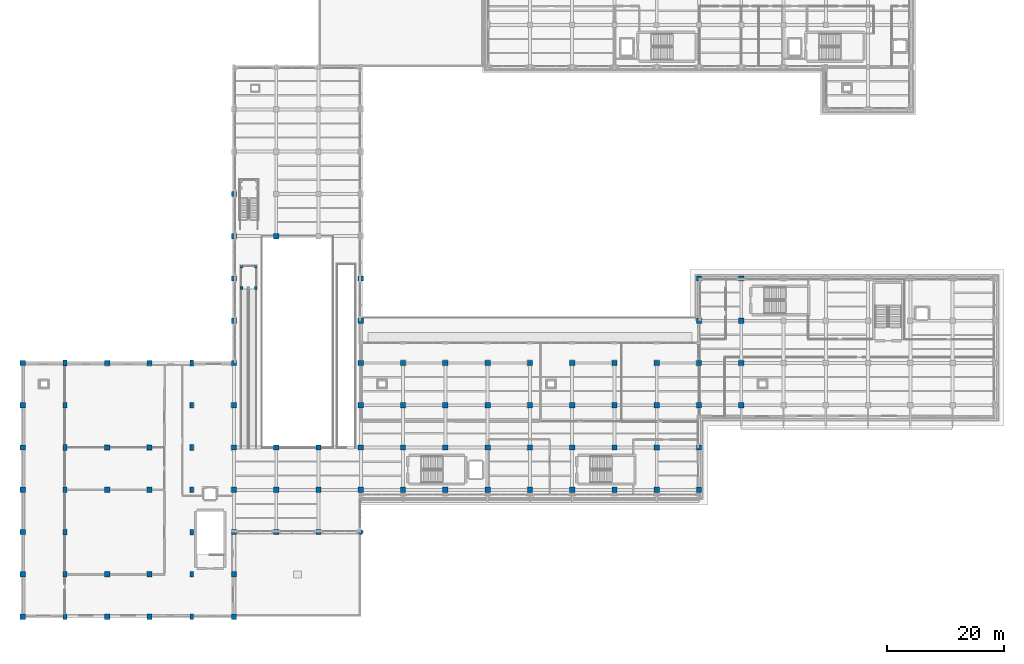
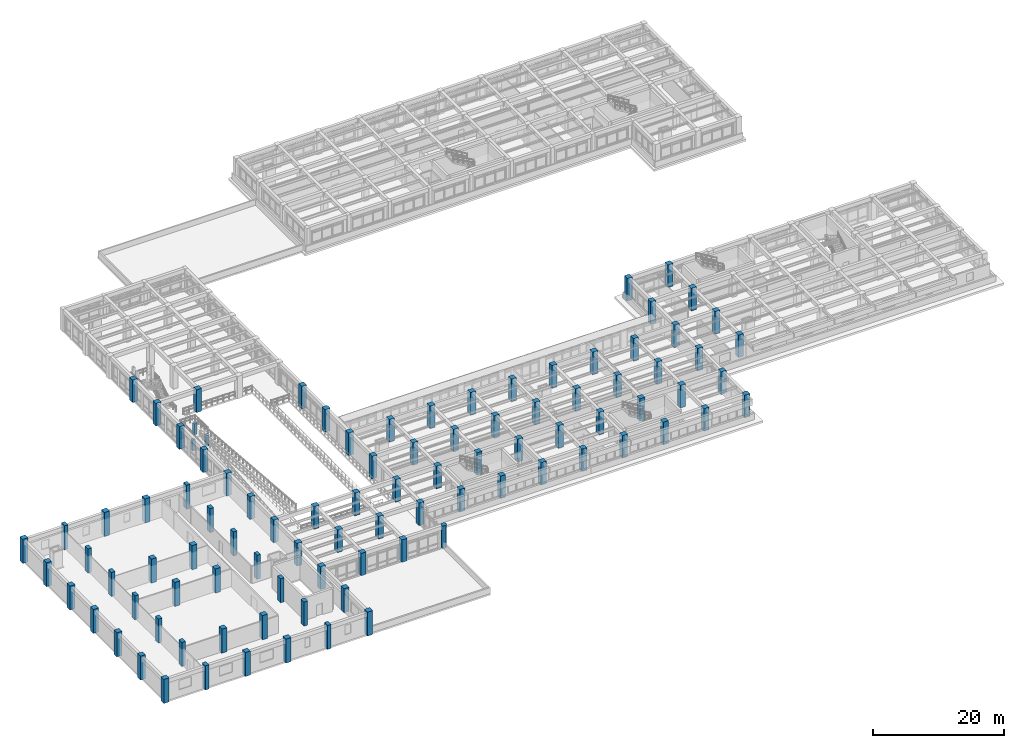
# One storey, part 1 of 69: 98 columns.
"""IFC4 building model written with IfcOpenShell, lengths in metres."""

from ifc_helpers import new_model, si_unit, direction, frame, origin, origin_2d, place, context, subcontext, project, spatial, rectangle, circle, extrude, material, material_profile, profile_set, type_object, element, save


model = new_model("IFC4")

# Units and contexts
model_context = context("Model", 3, precision=1e-05, world=origin(), true_north=direction((0.0, 1.0)))
body_context = subcontext(model_context, "Body", "Model", "MODEL_VIEW")
ifc_project = project(units=[si_unit("LENGTHUNIT", "METRE"), si_unit("AREAUNIT", "SQUARE_METRE"), si_unit("VOLUMEUNIT", "CUBIC_METRE"), si_unit("PLANEANGLEUNIT", "RADIAN"), si_unit("MASSUNIT", "GRAM", prefix="KILO")], contexts=[model_context])

# Site, building, storey
site_placement = place(None, origin())
site = spatial("IfcSite", under=ifc_project, at=site_placement, CompositionType="ELEMENT")
building_placement = place(site_placement, origin())
building = spatial("IfcBuilding", under=site, at=building_placement, Name="Solenvale Faculty of Natural Sciences", CompositionType="ELEMENT")
storey_placement = place(building_placement, frame((0.0, 0.0, 4.5)))
storey = spatial("IfcBuildingStorey", under=building, at=storey_placement, Name="L01", CompositionType="ELEMENT", Elevation=4.5)

# Columns
ifc_material_1 = material(Name="Concrete 40 MPa", Category="concrete")
ifc_material_profile_1 = material_profile(ifc_material_1, rectangle(XDim=0.5, YDim=0.5, at=origin_2d()), Name="RC-COL-500x500")
ifc_profile_set_1 = profile_set([ifc_material_profile_1], Name="Concrete 40 MPa")
column_type_1 = type_object("IfcColumnType", Name="COL-RC-500", PredefinedType="COLUMN", material=ifc_profile_set_1)
for number, where, z_axis, x_axis, name in (
    (1, (37.300048828125, 56.0, 0.0), (0.0, 0.0, 1.0), (1.0, 0.0, 0.0), "RMP-02 Half-Landing Support Column"),
    (2, (37.300048828125, 59.60009765625, 0.0), (0.0, 0.0, 1.0), (1.0, 0.0, 0.0), "RMP-02 Half-Landing Support Column"),
    (3, (39.699951171875, 56.0, 0.0), (0.0, 0.0, 1.0), (1.0, 0.0, 0.0), "RMP-02 Half-Landing Support Column"),
    (4, (39.699951171875, 59.60009765625, 0.0), (0.0, 0.0, 1.0), (1.0, 0.0, 0.0), "RMP-02 Half-Landing Support Column"),
):
    element("IfcColumn", number, at=place(storey_placement, frame(where, z_axis=z_axis, x_axis=x_axis)), inside=storey, type_object=column_type_1, Name=name, PredefinedType="COLUMN", context=body_context, shape_type="SweptSolid", body=[
        extrude(rectangle(XDim=0.5, YDim=0.5, at=origin_2d()), origin(), (0.0, 0.0, 1.0), 2.054931640625),
    ])
ifc_material_2 = material(Name="Concrete 50 MPa", Category="concrete")
ifc_material_profile_2 = material_profile(ifc_material_2, rectangle(XDim=0.64990234375, YDim=0.949951171875, at=origin_2d()), Name="RC-COL-650x950")
ifc_profile_set_2 = profile_set([ifc_material_profile_2], Name="Concrete 50 MPa")
column_type_2 = type_object("IfcColumnType", Name="COL-RC-650x950", PredefinedType="COLUMN", material=ifc_profile_set_2)
for number, where, z_axis, x_axis, name in (
    (5, (7.199951171875, 0.0, 0.0), (0.0, 0.0, 1.0), (1.0, 0.0, 0.0), "L01 Column (7.2, 0.0)"),
    (6, (7.199951171875, 7.199951171875, 0.0), (0.0, 0.0, 1.0), (1.0, 0.0, 0.0), "L01 Column (7.2, 7.2)"),
    (7, (7.199951171875, 14.39990234375, 0.0), (0.0, 0.0, 1.0), (1.0, 0.0, 0.0), "L01 Column (7.2, 14.4)"),
    (8, (7.199951171875, 21.60009765625, 0.0), (0.0, 0.0, 1.0), (1.0, 0.0, 0.0), "L01 Column (7.2, 21.6)"),
    (9, (7.199951171875, 28.800048828125, 0.0), (0.0, 0.0, 1.0), (1.0, 0.0, 0.0), "L01 Column (7.2, 28.8)"),
    (10, (7.199951171875, 36.0, 0.0), (0.0, 0.0, 1.0), (1.0, 0.0, 0.0), "L01 Column (7.2, 36.0)"),
    (11, (7.199951171875, 43.199951171875, 0.0), (0.0, 0.0, 1.0), (1.0, 0.0, 0.0), "L01 Column (7.2, 43.2)"),
    (12, (28.800048828125, 0.0, 0.0), (0.0, 0.0, 1.0), (1.0, 0.0, 0.0), "L01 Column (28.8, 0.0)"),
    (13, (28.800048828125, 7.199951171875, 0.0), (0.0, 0.0, 1.0), (1.0, 0.0, 0.0), "L01 Column (28.8, 7.2)"),
    (14, (28.800048828125, 14.39990234375, 0.0), (0.0, 0.0, 1.0), (1.0, 0.0, 0.0), "L01 Column (28.8, 14.4)"),
    (15, (28.800048828125, 21.60009765625, 0.0), (0.0, 0.0, 1.0), (1.0, 0.0, 0.0), "L01 Column (28.8, 21.6)"),
    (16, (28.800048828125, 28.800048828125, 0.0), (0.0, 0.0, 1.0), (1.0, 0.0, 0.0), "L01 Column (28.8, 28.8)"),
    (17, (28.800048828125, 36.0, 0.0), (0.0, 0.0, 1.0), (1.0, 0.0, 0.0), "L01 Column (28.8, 36.0)"),
    (18, (28.800048828125, 43.199951171875, 0.0), (0.0, 0.0, 1.0), (1.0, 0.0, 0.0), "L01 Column (28.8, 43.2)"),
):
    element("IfcColumn", number, at=place(storey_placement, frame(where, z_axis=z_axis, x_axis=x_axis)), inside=storey, type_object=column_type_2, Name=name, PredefinedType="COLUMN", context=body_context, shape_type="SweptSolid", body=[
        extrude(rectangle(XDim=0.64990234375, YDim=0.949951171875, at=origin_2d()), origin(), (0.0, 0.0, 1.0), 4.5),
    ])
ifc_material_profile_3 = material_profile(ifc_material_2, rectangle(XDim=0.89990234375, YDim=0.89990234375, at=origin_2d()), Name="RC-COL-900x900")
ifc_profile_set_3 = profile_set([ifc_material_profile_3], Name="Concrete 50 MPa")
column_type_3 = type_object("IfcColumnType", Name="COL-RC-900", PredefinedType="COLUMN", material=ifc_profile_set_3)
for number, where, z_axis, x_axis, name in (
    (19, (0.0, 0.0, 0.0), (0.0, 0.0, 1.0), (1.0, 0.0, 0.0), "L01 Column (0.0, 0.0)"),
    (20, (0.0, 7.199951171875, 0.0), (0.0, 0.0, 1.0), (1.0, 0.0, 0.0), "L01 Column (0.0, 7.2)"),
    (21, (0.0, 14.39990234375, 0.0), (0.0, 0.0, 1.0), (1.0, 0.0, 0.0), "L01 Column (0.0, 14.4)"),
    (22, (0.0, 21.60009765625, 0.0), (0.0, 0.0, 1.0), (1.0, 0.0, 0.0), "L01 Column (0.0, 21.6)"),
    (23, (0.0, 28.800048828125, 0.0), (0.0, 0.0, 1.0), (1.0, 0.0, 0.0), "L01 Column (0.0, 28.8)"),
    (24, (0.0, 36.0, 0.0), (0.0, 0.0, 1.0), (1.0, 0.0, 0.0), "L01 Column (0.0, 36.0)"),
    (25, (0.0, 43.199951171875, 0.0), (0.0, 0.0, 1.0), (1.0, 0.0, 0.0), "L01 Column (0.0, 43.2)"),
    (26, (14.39990234375, 0.0, 0.0), (0.0, 0.0, 1.0), (1.0, 0.0, 0.0), "L01 Column (14.4, 0.0)"),
    (27, (14.39990234375, 7.199951171875, 0.0), (0.0, 0.0, 1.0), (1.0, 0.0, 0.0), "L01 Column (14.4, 7.2)"),
    (28, (14.39990234375, 21.60009765625, 0.0), (0.0, 0.0, 1.0), (1.0, 0.0, 0.0), "L01 Column (14.4, 21.6)"),
    (29, (14.39990234375, 28.800048828125, 0.0), (0.0, 0.0, 1.0), (1.0, 0.0, 0.0), "L01 Column (14.4, 28.8)"),
    (30, (14.39990234375, 43.199951171875, 0.0), (0.0, 0.0, 1.0), (1.0, 0.0, 0.0), "L01 Column (14.4, 43.2)"),
    (31, (21.60009765625, 0.0, 0.0), (0.0, 0.0, 1.0), (1.0, 0.0, 0.0), "L01 Column (21.6, 0.0)"),
    (32, (21.60009765625, 7.199951171875, 0.0), (0.0, 0.0, 1.0), (1.0, 0.0, 0.0), "L01 Column (21.6, 7.2)"),
    (33, (21.60009765625, 21.60009765625, 0.0), (0.0, 0.0, 1.0), (1.0, 0.0, 0.0), "L01 Column (21.6, 21.6)"),
    (34, (21.60009765625, 28.800048828125, 0.0), (0.0, 0.0, 1.0), (1.0, 0.0, 0.0), "L01 Column (21.6, 28.8)"),
    (35, (21.60009765625, 43.199951171875, 0.0), (0.0, 0.0, 1.0), (1.0, 0.0, 0.0), "L01 Column (21.6, 43.2)"),
    (36, (36.0, 0.0, 0.0), (0.0, 0.0, 1.0), (1.0, 0.0, 0.0), "L01 Column (36.0, 0.0)"),
    (37, (36.0, 7.199951171875, 0.0), (0.0, 0.0, 1.0), (1.0, 0.0, 0.0), "L01 Column (36.0, 7.2)"),
):
    element("IfcColumn", number, at=place(storey_placement, frame(where, z_axis=z_axis, x_axis=x_axis)), inside=storey, type_object=column_type_3, Name=name, PredefinedType="COLUMN", context=body_context, shape_type="SweptSolid", body=[
        extrude(rectangle(XDim=0.89990234375, YDim=0.89990234375, at=origin_2d()), origin(), (0.0, 0.0, 1.0), 4.5),
    ])
for number, where, z_axis, x_axis, name in (
    (38, (36.0, 14.39990234375, 0.0), (0.0, 0.0, 1.0), (1.0, 0.0, 0.0), "L01 Column (36.0, 14.4)"),
    (39, (36.0, 21.60009765625, 0.0), (0.0, 0.0, 1.0), (1.0, 0.0, 0.0), "L01 Column (36.0, 21.6)"),
    (40, (36.0, 28.800048828125, 0.0), (0.0, 0.0, 1.0), (1.0, 0.0, 0.0), "L01 Column (36.0, 28.8)"),
    (41, (36.0, 36.0, 0.0), (0.0, 0.0, 1.0), (1.0, 0.0, 0.0), "L01 Column (36.0, 36.0)"),
    (42, (36.0, 43.199951171875, 0.0), (0.0, 0.0, 1.0), (1.0, 0.0, 0.0), "L01 Column (36.0, 43.2)"),
    (43, (36.0, 50.39990234375, 0.0), (0.0, 0.0, 1.0), (1.0, 0.0, 0.0), "L01 Column (36.0, 50.4)"),
    (44, (36.0, 57.60009765625, 0.0), (0.0, 0.0, 1.0), (1.0, 0.0, 0.0), "L01 Column (36.0, 57.6)"),
    (45, (36.0, 64.800048828125, 0.0), (0.0, 0.0, 1.0), (1.0, 0.0, 0.0), "L01 Column (36.0, 64.8)"),
    (46, (36.0, 72.0, 0.0), (0.0, 0.0, 1.0), (1.0, 0.0, 0.0), "L01 Column (36.0, 72.0)"),
    (47, (43.199951171875, 14.39990234375, 0.0), (0.0, 0.0, 1.0), (1.0, 0.0, 0.0), "L01 Column (43.2, 14.4)"),
    (48, (43.199951171875, 21.60009765625, 0.0), (0.0, 0.0, 1.0), (1.0, 0.0, 0.0), "L01 Column (43.2, 21.6)"),
    (49, (43.199951171875, 28.800048828125, 0.0), (0.0, 0.0, 1.0), (1.0, 0.0, 0.0), "L01 Column (43.2, 28.8)"),
    (50, (43.199951171875, 64.800048828125, 0.0), (0.0, 0.0, 1.0), (1.0, 0.0, 0.0), "L01 Column (43.2, 64.8)"),
    (51, (50.39990234375, 14.39990234375, 0.0), (0.0, 0.0, 1.0), (1.0, 0.0, 0.0), "L01 Column (50.4, 14.4)"),
    (52, (50.39990234375, 21.60009765625, 0.0), (0.0, 0.0, 1.0), (1.0, 0.0, 0.0), "L01 Column (50.4, 21.6)"),
    (53, (50.39990234375, 28.800048828125, 0.0), (0.0, 0.0, 1.0), (1.0, 0.0, 0.0), "L01 Column (50.4, 28.8)"),
    (54, (57.60009765625, 21.60009765625, 0.0), (0.0, 0.0, 1.0), (1.0, 0.0, 0.0), "L01 Column (57.6, 21.6)"),
    (55, (57.60009765625, 28.800048828125, 0.0), (0.0, 0.0, 1.0), (1.0, 0.0, 0.0), "L01 Column (57.6, 28.8)"),
    (56, (57.60009765625, 36.0, 0.0), (0.0, 0.0, 1.0), (1.0, 0.0, 0.0), "L01 Column (57.6, 36.0)"),
    (57, (57.60009765625, 43.199951171875, 0.0), (0.0, 0.0, 1.0), (1.0, 0.0, 0.0), "L01 Column (57.6, 43.2)"),
    (58, (57.60009765625, 50.39990234375, 0.0), (0.0, 0.0, 1.0), (1.0, 0.0, 0.0), "L01 Column (57.6, 50.4)"),
    (59, (57.60009765625, 57.60009765625, 0.0), (0.0, 0.0, 1.0), (1.0, 0.0, 0.0), "L01 Column (57.6, 57.6)"),
    (60, (64.800048828125, 21.60009765625, 0.0), (0.0, 0.0, 1.0), (1.0, 0.0, 0.0), "L01 Column (64.8, 21.6)"),
    (61, (64.800048828125, 28.800048828125, 0.0), (0.0, 0.0, 1.0), (1.0, 0.0, 0.0), "L01 Column (64.8, 28.8)"),
    (62, (64.800048828125, 36.0, 0.0), (0.0, 0.0, 1.0), (1.0, 0.0, 0.0), "L01 Column (64.8, 36.0)"),
    (63, (64.800048828125, 43.199951171875, 0.0), (0.0, 0.0, 1.0), (1.0, 0.0, 0.0), "L01 Column (64.8, 43.2)"),
    (64, (72.0, 21.60009765625, 0.0), (0.0, 0.0, 1.0), (1.0, 0.0, 0.0), "L01 Column (72.0, 21.6)"),
    (65, (72.0, 28.800048828125, 0.0), (0.0, 0.0, 1.0), (1.0, 0.0, 0.0), "L01 Column (72.0, 28.8)"),
    (66, (72.0, 36.0, 0.0), (0.0, 0.0, 1.0), (1.0, 0.0, 0.0), "L01 Column (72.0, 36.0)"),
    (67, (72.0, 43.199951171875, 0.0), (0.0, 0.0, 1.0), (1.0, 0.0, 0.0), "L01 Column (72.0, 43.2)"),
    (68, (79.199951171875, 21.60009765625, 0.0), (0.0, 0.0, 1.0), (1.0, 0.0, 0.0), "L01 Column (79.2, 21.6)"),
    (69, (79.199951171875, 28.800048828125, 0.0), (0.0, 0.0, 1.0), (1.0, 0.0, 0.0), "L01 Column (79.2, 28.8)"),
    (70, (79.199951171875, 36.0, 0.0), (0.0, 0.0, 1.0), (1.0, 0.0, 0.0), "L01 Column (79.2, 36.0)"),
    (71, (79.199951171875, 43.199951171875, 0.0), (0.0, 0.0, 1.0), (1.0, 0.0, 0.0), "L01 Column (79.2, 43.2)"),
    (72, (86.39990234375, 21.60009765625, 0.0), (0.0, 0.0, 1.0), (1.0, 0.0, 0.0), "L01 Column (86.4, 21.6)"),
    (73, (86.39990234375, 28.800048828125, 0.0), (0.0, 0.0, 1.0), (1.0, 0.0, 0.0), "L01 Column (86.4, 28.8)"),
    (74, (86.39990234375, 36.0, 0.0), (0.0, 0.0, 1.0), (1.0, 0.0, 0.0), "L01 Column (86.4, 36.0)"),
    (75, (86.39990234375, 43.199951171875, 0.0), (0.0, 0.0, 1.0), (1.0, 0.0, 0.0), "L01 Column (86.4, 43.2)"),
    (76, (93.60009765625, 21.60009765625, 0.0), (0.0, 0.0, 1.0), (1.0, 0.0, 0.0), "L01 Column (93.6, 21.6)"),
    (77, (93.60009765625, 28.800048828125, 0.0), (0.0, 0.0, 1.0), (1.0, 0.0, 0.0), "L01 Column (93.6, 28.8)"),
    (78, (93.60009765625, 36.0, 0.0), (0.0, 0.0, 1.0), (1.0, 0.0, 0.0), "L01 Column (93.6, 36.0)"),
    (79, (93.60009765625, 43.199951171875, 0.0), (0.0, 0.0, 1.0), (1.0, 0.0, 0.0), "L01 Column (93.6, 43.2)"),
    (80, (100.800048828125, 21.60009765625, 0.0), (0.0, 0.0, 1.0), (1.0, 0.0, 0.0), "L01 Column (100.8, 21.6)"),
    (81, (100.800048828125, 28.800048828125, 0.0), (0.0, 0.0, 1.0), (1.0, 0.0, 0.0), "L01 Column (100.8, 28.8)"),
    (82, (100.800048828125, 36.0, 0.0), (0.0, 0.0, 1.0), (1.0, 0.0, 0.0), "L01 Column (100.8, 36.0)"),
    (83, (100.800048828125, 43.199951171875, 0.0), (0.0, 0.0, 1.0), (1.0, 0.0, 0.0), "L01 Column (100.8, 43.2)"),
    (84, (108.0, 21.60009765625, 0.0), (0.0, 0.0, 1.0), (1.0, 0.0, 0.0), "L01 Column (108.0, 21.6)"),
    (85, (108.0, 28.800048828125, 0.0), (0.0, 0.0, 1.0), (1.0, 0.0, 0.0), "L01 Column (108.0, 28.8)"),
    (86, (108.0, 36.0, 0.0), (0.0, 0.0, 1.0), (1.0, 0.0, 0.0), "L01 Column (108.0, 36.0)"),
    (87, (108.0, 43.199951171875, 0.0), (0.0, 0.0, 1.0), (1.0, 0.0, 0.0), "L01 Column (108.0, 43.2)"),
    (88, (115.199951171875, 21.60009765625, 0.0), (0.0, 0.0, 1.0), (1.0, 0.0, 0.0), "L01 Column (115.2, 21.6)"),
    (89, (115.199951171875, 28.800048828125, 0.0), (0.0, 0.0, 1.0), (1.0, 0.0, 0.0), "L01 Column (115.2, 28.8)"),
    (90, (115.199951171875, 36.0, 0.0), (0.0, 0.0, 1.0), (1.0, 0.0, 0.0), "L01 Column (115.2, 36.0)"),
    (91, (115.199951171875, 43.199951171875, 0.0), (0.0, 0.0, 1.0), (1.0, 0.0, 0.0), "L01 Column (115.2, 43.2)"),
    (92, (115.199951171875, 50.39990234375, 0.0), (0.0, 0.0, 1.0), (1.0, 0.0, 0.0), "L01 Column (115.2, 50.4)"),
    (93, (115.199951171875, 57.60009765625, 0.0), (0.0, 0.0, 1.0), (1.0, 0.0, 0.0), "L01 Column (115.2, 57.6)"),
    (94, (122.39990234375, 36.0, 0.0), (0.0, 0.0, 1.0), (1.0, 0.0, 0.0), "L01 Column (122.4, 36.0)"),
    (95, (122.39990234375, 43.199951171875, 0.0), (0.0, 0.0, 1.0), (1.0, 0.0, 0.0), "L01 Column (122.4, 43.2)"),
    (96, (122.39990234375, 50.39990234375, 0.0), (0.0, 0.0, 1.0), (1.0, 0.0, 0.0), "L01 Column (122.4, 50.4)"),
    (97, (122.39990234375, 57.60009765625, 0.0), (0.0, 0.0, 1.0), (1.0, 0.0, 0.0), "L01 Column (122.4, 57.6)"),
):
    element("IfcColumn", number, at=place(storey_placement, frame(where, z_axis=z_axis, x_axis=x_axis)), inside=storey, type_object=column_type_3, Name=name, PredefinedType="COLUMN", context=body_context, shape_type="SweptSolid", body=[
        extrude(rectangle(XDim=0.89990234375, YDim=0.89990234375, at=origin_2d()), origin(), (0.0, 0.0, 1.0), 4.219970703125),
    ])
ifc_material_3 = material(Name="Architectural bronze concrete 40 MPa", Category="concrete")
ifc_material_profile_4 = material_profile(ifc_material_3, circle(Radius=0.425048828125, at=origin_2d()), Name="RC-COL-D850")
ifc_profile_set_4 = profile_set([ifc_material_profile_4], Name="Architectural bronze concrete 40 MPa")
column_type_4 = type_object("IfcColumnType", Name="COL-RC-D850", PredefinedType="COLUMN", material=ifc_profile_set_4)
column_placement = place(storey_placement, frame((57.60009765625, 14.39990234375, 0.0), z_axis=(0.0, 0.0, 1.0), x_axis=(1.0, 0.0, 0.0)))
element("IfcColumn", 98, at=column_placement, inside=storey, type_object=column_type_4, Name="L01 Column (57.6, 14.4)", PredefinedType="COLUMN", context=body_context, shape_type="SweptSolid", body=[
    extrude(circle(Radius=0.425048828125, at=origin_2d()), origin(), (0.0, 0.0, 1.0), 4.219970703125),
])

save(model, "model.ifc")
